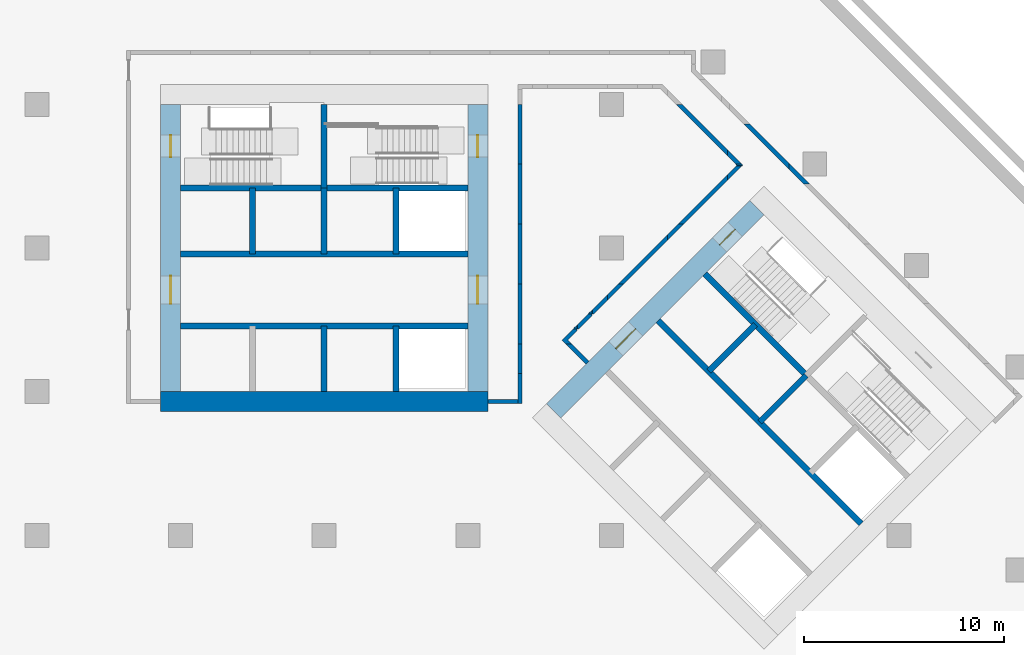
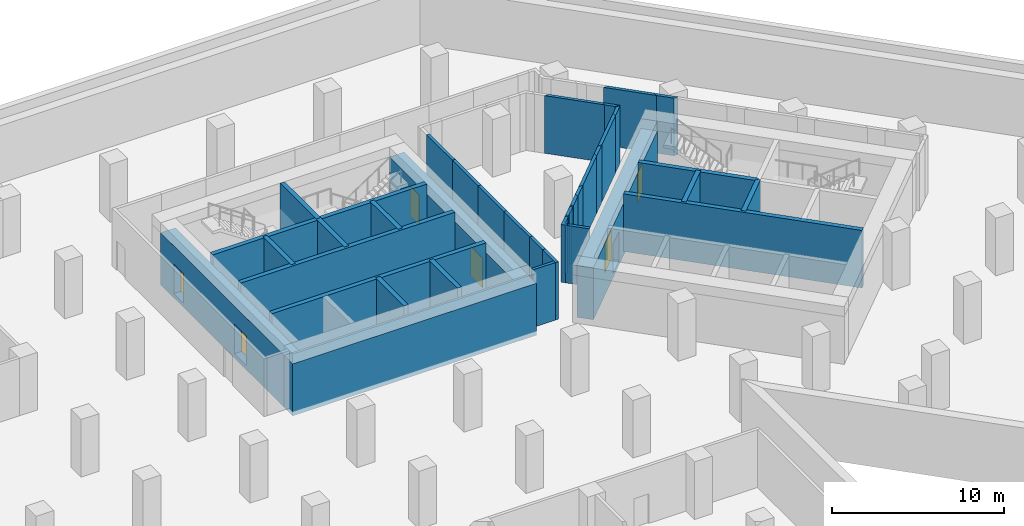
# One storey, part 5 of 11: 41 walls, 6 doors, 6 openings.
"""IFC4 building model written with IfcOpenShell, lengths in metres."""

from ifc_helpers import new_model, si_unit, direction, frame, frame_2d, origin, place, context, subcontext, project, spatial, polyline, rectangle, outline, extrude, material, layer, layer_set, type_object, element, fill, save


model = new_model("IFC4")

# Units and contexts
model_context = context("Model", 3, precision=1e-05, world=origin(), true_north=direction((0.0, 1.0)))
body_context = subcontext(model_context, "Body", "Model", "MODEL_VIEW")
ifc_project = project(units=[si_unit("LENGTHUNIT", "METRE"), si_unit("AREAUNIT", "SQUARE_METRE"), si_unit("VOLUMEUNIT", "CUBIC_METRE"), si_unit("PLANEANGLEUNIT", "RADIAN"), si_unit("MASSUNIT", "GRAM", prefix="KILO")], contexts=[model_context])

# Site, building, storey
site_placement = place(None, origin())
site = spatial("IfcSite", under=ifc_project, at=site_placement, CompositionType="ELEMENT")
building_placement = place(site_placement, origin())
building = spatial("IfcBuilding", under=site, at=building_placement, Name="Windrow Commons", CompositionType="ELEMENT")
storey_placement = place(building_placement, frame((0.0, 0.0, -4.5)))
storey = spatial("IfcBuildingStorey", under=building, at=storey_placement, Name="B1", CompositionType="ELEMENT", Elevation=-4.5)

# Walls
ifc_material_1 = material(Name="Blockwork partition", Category="masonry")
ifc_layer_1 = layer(ifc_material_1, 0.2)
ifc_layer_set_1 = layer_set([ifc_layer_1], Name="CP-PART-200")
wall_type_1 = type_object("IfcWallType", Name="CP-PART-200", PredefinedType="PARTITIONING", material=ifc_layer_set_1)
placement = place(storey_placement, origin())
element("IfcWall", 1, at=placement, inside=storey, type_object=wall_type_1, Name="Escape corridor wall 07", PredefinedType="PARTITIONING", context=body_context, shape_type="SweptSolid", body=[
    extrude(outline(polyline([(74.5, 50.0), (73.0, 50.0), (73.0, 49.8), (74.5, 49.8), (74.5, 50.0)])), origin(), (0.0, 0.0, 1.0), 4.1),
])
element("IfcWall", 2, at=placement, inside=storey, type_object=wall_type_1, Name="Escape corridor wall 08", PredefinedType="PARTITIONING", context=body_context, shape_type="SweptSolid", body=[
    extrude(outline(polyline([(74.5, 51.3), (74.5, 49.8), (74.7, 49.8), (74.7, 51.3), (74.5, 51.3)])), origin(), (0.0, 0.0, 1.0), 4.1),
])
element("IfcWall", 3, at=placement, inside=storey, type_object=wall_type_1, Name="Escape corridor wall 09", PredefinedType="PARTITIONING", context=body_context, shape_type="SweptSolid", body=[
    extrude(outline(polyline([(74.5, 52.8), (74.5, 51.3), (74.7, 51.3), (74.7, 52.8), (74.5, 52.8)])), origin(), (0.0, 0.0, 1.0), 4.1),
])
element("IfcWall", 4, at=placement, inside=storey, type_object=wall_type_1, Name="Escape corridor wall 10", PredefinedType="PARTITIONING", context=body_context, shape_type="SweptSolid", body=[
    extrude(outline(polyline([(74.5, 55.8), (74.5, 52.8), (74.7, 52.8), (74.7, 55.8), (74.5, 55.8)])), origin(), (0.0, 0.0, 1.0), 4.1),
])
element("IfcWall", 5, at=placement, inside=storey, type_object=wall_type_1, Name="Escape corridor wall 11", PredefinedType="PARTITIONING", context=body_context, shape_type="SweptSolid", body=[
    extrude(outline(polyline([(74.5, 58.8), (74.5, 55.8), (74.7, 55.8), (74.7, 58.8), (74.5, 58.8)])), origin(), (0.0, 0.0, 1.0), 4.1),
])
element("IfcWall", 6, at=placement, inside=storey, type_object=wall_type_1, Name="Escape corridor wall 12", PredefinedType="PARTITIONING", context=body_context, shape_type="SweptSolid", body=[
    extrude(outline(polyline([(74.5, 61.8), (74.5, 58.8), (74.7, 58.8), (74.7, 61.8), (74.5, 61.8)])), origin(), (0.0, 0.0, 1.0), 4.1),
])
element("IfcWall", 7, at=placement, inside=storey, type_object=wall_type_1, Name="Escape corridor wall 13", PredefinedType="PARTITIONING", context=body_context, shape_type="SweptSolid", body=[
    extrude(outline(polyline([(74.5, 64.8), (74.5, 61.8), (74.7, 61.8), (74.7, 64.8), (74.5, 64.8)])), origin(), (0.0, 0.0, 1.0), 4.1),
])
element("IfcWall", 8, at=placement, inside=storey, type_object=wall_type_1, Name="Escape corridor wall 18", PredefinedType="PARTITIONING", context=body_context, shape_type="SweptSolid", body=[
    extrude(outline(polyline([(76.904, 52.8), (77.1868, 52.8), (77.008, 52.9788), (77.4751, 53.446), (77.4751, 53.55), (77.2963, 53.55), (76.7251, 52.9788), (76.904, 52.8)])), origin(), (0.0, 0.0, 1.0), 4.1),
])
element("IfcWall", 9, at=placement, inside=storey, type_object=wall_type_1, Name="Escape corridor wall 19", PredefinedType="PARTITIONING", context=body_context, shape_type="SweptSolid", body=[
    extrude(outline(polyline([(77.4751, 53.7288), (77.2963, 53.55), (77.4751, 53.55), (77.4751, 53.7288)])), origin(), (0.0, 0.0, 1.0), 4.1),
])
element("IfcWall", 10, at=placement, inside=storey, type_object=wall_type_1, Name="Escape corridor wall 20", PredefinedType="PARTITIONING", context=body_context, shape_type="SweptSolid", body=[
    extrude(outline(polyline([(77.9272, 51.7767), (78.0686, 51.9182), (77.1868, 52.8), (76.904, 52.8), (77.9272, 51.7767)])), origin(), (0.0, 0.0, 1.0), 4.1),
])
element("IfcWall", 11, at=placement, inside=storey, type_object=wall_type_1, Name="Escape corridor wall 23", PredefinedType="PARTITIONING", context=body_context, shape_type="SweptSolid", body=[
    extrude(outline(polyline([(78.0463, 54.3), (77.4751, 53.7288), (77.4751, 53.55), (77.5791, 53.55), (78.2251, 54.196), (78.2251, 54.3), (78.0463, 54.3)])), origin(), (0.0, 0.0, 1.0), 4.1),
])
element("IfcWall", 12, at=placement, inside=storey, type_object=wall_type_1, Name="Escape corridor wall 24", PredefinedType="PARTITIONING", context=body_context, shape_type="SweptSolid", body=[
    extrude(outline(polyline([(78.2251, 54.4788), (78.0463, 54.3), (78.2251, 54.3), (78.2251, 54.4788)])), origin(), (0.0, 0.0, 1.0), 4.1),
])
element("IfcWall", 13, at=placement, inside=storey, type_object=wall_type_1, Name="Escape corridor wall 25", PredefinedType="PARTITIONING", context=body_context, shape_type="SweptSolid", body=[
    extrude(outline(polyline([(79.0, 55.2537), (78.2251, 54.4788), (78.2251, 54.3), (78.3291, 54.3), (79.0, 54.9709), (79.0, 55.2537)])), origin(), (0.0, 0.0, 1.0), 4.1),
])
element("IfcWall", 14, at=placement, inside=storey, type_object=wall_type_1, Name="Escape corridor wall 26", PredefinedType="PARTITIONING", context=body_context, shape_type="SweptSolid", body=[
    extrude(outline(polyline([(79.0, 54.9709), (79.8291, 55.8), (79.5463, 55.8), (79.0, 55.2537), (79.0, 54.9709)])), origin(), (0.0, 0.0, 1.0), 4.1),
])
element("IfcWall", 15, at=placement, inside=storey, type_object=wall_type_1, Name="Escape corridor wall 29", PredefinedType="PARTITIONING", context=body_context, shape_type="SweptSolid", body=[
    extrude(outline(polyline([(79.8291, 55.8), (82.0, 57.9709), (82.0, 58.2537), (79.5463, 55.8), (79.8291, 55.8)])), origin(), (0.0, 0.0, 1.0), 4.1),
])
element("IfcWall", 16, at=placement, inside=storey, type_object=wall_type_1, Name="Escape corridor wall 32", PredefinedType="PARTITIONING", context=body_context, shape_type="SweptSolid", body=[
    extrude(outline(polyline([(82.0, 57.9709), (82.8291, 58.8), (82.5463, 58.8), (82.0, 58.2537), (82.0, 57.9709)])), origin(), (0.0, 0.0, 1.0), 4.1),
])
element("IfcWall", 17, at=placement, inside=storey, type_object=wall_type_1, Name="Escape corridor wall 37", PredefinedType="PARTITIONING", context=body_context, shape_type="SweptSolid", body=[
    extrude(outline(polyline([(82.8291, 58.8), (85.0, 60.9709), (85.0, 61.2537), (82.5463, 58.8), (82.8291, 58.8)])), origin(), (0.0, 0.0, 1.0), 4.1),
])
element("IfcWall", 18, at=placement, inside=storey, type_object=wall_type_1, Name="Escape corridor wall 38", PredefinedType="PARTITIONING", context=body_context, shape_type="SweptSolid", body=[
    extrude(outline(polyline([(85.0, 62.523), (82.723, 64.8), (82.4402, 64.8), (85.0, 62.2402), (85.0, 62.523)])), origin(), (0.0, 0.0, 1.0), 4.1),
])
element("IfcWall", 19, at=placement, inside=storey, type_object=wall_type_1, Name="Escape corridor wall 41", PredefinedType="PARTITIONING", context=body_context, shape_type="SweptSolid", body=[
    extrude(outline(polyline([(85.0, 61.2537), (85.0, 60.9709), (85.75, 61.7209), (85.4672, 61.7209), (85.0, 61.2537)])), origin(), (0.0, 0.0, 1.0), 4.1),
])
element("IfcWall", 20, at=placement, inside=storey, type_object=wall_type_1, Name="Escape corridor wall 42", PredefinedType="PARTITIONING", context=body_context, shape_type="SweptSolid", body=[
    extrude(outline(polyline([(85.723, 61.8), (85.0, 62.523), (85.0, 62.2402), (85.4402, 61.8), (85.723, 61.8)])), origin(), (0.0, 0.0, 1.0), 4.1),
])
element("IfcWall", 21, at=placement, inside=storey, type_object=wall_type_1, Name="Escape corridor wall 44", PredefinedType="PARTITIONING", context=body_context, shape_type="SweptSolid", body=[
    extrude(outline(polyline([(85.4933, 61.747), (85.4672, 61.7209), (85.75, 61.7209), (85.75, 61.773), (85.723, 61.8), (85.4402, 61.8), (85.4933, 61.747)])), origin(), (0.0, 0.0, 1.0), 4.1),
])
element("IfcWall", 22, at=placement, inside=storey, type_object=wall_type_1, Name="Escape corridor wall 45", PredefinedType="PARTITIONING", context=body_context, shape_type="SweptSolid", body=[
    extrude(outline(polyline([(88.1, 61.8272), (86.1203, 63.8069), (85.8375, 63.8069), (88.1, 61.5444), (88.1, 61.8272)])), origin(), (0.0, 0.0, 1.0), 4.1),
])
element("IfcWall", 23, at=placement, inside=storey, type_object=wall_type_1, Name="Escape corridor wall 46", PredefinedType="PARTITIONING", context=body_context, shape_type="SweptSolid", body=[
    extrude(outline(polyline([(89.1203, 60.8069), (88.1, 61.8272), (88.1, 61.5444), (88.8375, 60.8069), (89.1203, 60.8069)])), origin(), (0.0, 0.0, 1.0), 4.1),
])
ifc_material_2 = material(Name="Concrete C60/75", Category="concrete")
ifc_layer_2 = layer(ifc_material_2, 1.0)
ifc_layer_set_2 = layer_set([ifc_layer_2], Name="RC CORE WALL 1000 C60/75")
wall_type_2 = type_object("IfcWallType", Name="RC CORE WALL 1000 C60/75", PredefinedType="SHEAR", material=ifc_layer_set_2)
wall_24_placement = place(storey_placement, frame((56.6, 49.9, -0.3), z_axis=(0.0, 0.0, 1.0), x_axis=(1.0, 0.0, 0.0)))
element("IfcWall", 24, at=wall_24_placement, inside=storey, type_object=wall_type_2, Name="Core A wall outer-S", PredefinedType="SHEAR", context=body_context, shape_type="SweptSolid", body=[
    extrude(rectangle(XDim=16.4, YDim=1.0, at=frame_2d((8.2, 0.0))), origin(), (0.0, 0.0, 1.0), 3.7),
])

# Wall, openings, doors
wall_25_placement = place(storey_placement, frame((57.1, 50.4, -0.3), z_axis=(0.0, 0.0, 1.0), x_axis=(0.0, 1.0, 0.0)))
wall_25 = element("IfcWall", 25, at=wall_25_placement, inside=storey, type_object=wall_type_2, Name="Core A wall outer-W", PredefinedType="SHEAR", context=body_context, shape_type="SweptSolid", body=[
    extrude(rectangle(XDim=14.4, YDim=1.0, at=frame_2d((7.2, 0.0))), origin(), (0.0, 0.0, 1.0), 3.7),
])
opening_1_placement = place(wall_25_placement, frame((4.4, 0.0, 0.3)))
opening_1 = element("IfcOpeningElement", 26, at=opening_1_placement, cuts=wall_25, Name="Opening B1-D01", PredefinedType="OPENING", context=body_context, shape_type="SweptSolid", body=[
    extrude(rectangle(XDim=1.4, YDim=2.1, at=frame_2d((0.7, 1.05))), frame((0.0, 0.51, 0.0), z_axis=(0.0, -1.0, 0.0), x_axis=(1.0, 0.0, 0.0)), (0.0, 0.0, 1.0), 1.02),
])
opening_2_placement = place(wall_25_placement, frame((11.75, 0.0, 0.3)))
opening_2 = element("IfcOpeningElement", 27, at=opening_2_placement, cuts=wall_25, Name="Opening B1-D02", PredefinedType="OPENING", context=body_context, shape_type="SweptSolid", body=[
    extrude(rectangle(XDim=1.1, YDim=2.1, at=frame_2d((0.55, 1.05))), frame((0.0, 0.51, 0.0), z_axis=(0.0, -1.0, 0.0), x_axis=(1.0, 0.0, 0.0)), (0.0, 0.0, 1.0), 1.02),
])
ifc_material_3 = material(Name="Steel fire door leaf", Category="steel")
door_type_1 = type_object("IfcDoorType", Name="CP-DOOR-1100", OperationType="SINGLE_SWING_LEFT", PredefinedType="DOOR", material=ifc_material_3)
door_1_placement = place(opening_2_placement, origin())
door_1 = element("IfcDoor", 28, at=door_1_placement, inside=storey, type_object=door_type_1, Name="D-B1-CORE-AW-2", OperationType="SINGLE_SWING_LEFT", OverallHeight=2.1, OverallWidth=1.1, PredefinedType="DOOR", context=body_context, shape_type="SweptSolid", body=[
    extrude(rectangle(XDim=1.1, YDim=2.1, at=frame_2d((0.55, 1.05))), frame((0.0, 0.025, 0.0), z_axis=(0.0, -1.0, 0.0), x_axis=(1.0, 0.0, 0.0)), (0.0, 0.0, 1.0), 0.05),
])
fill(opening_2, door_1)
ifc_material_4 = material(Name="Steel fire door leaf", Category="steel")
door_type_2 = type_object("IfcDoorType", Name="CP-DOOR-1400", OperationType="SINGLE_SWING_LEFT", PredefinedType="DOOR", material=ifc_material_4)
door_2_placement = place(opening_1_placement, origin())
door_2 = element("IfcDoor", 29, at=door_2_placement, inside=storey, type_object=door_type_2, Name="D-B1-CORE-AW-1", OperationType="SINGLE_SWING_RIGHT", OverallHeight=2.1, OverallWidth=1.4, PredefinedType="DOOR", context=body_context, shape_type="SweptSolid", body=[
    extrude(rectangle(XDim=1.4, YDim=2.1, at=frame_2d((0.7, 1.05))), frame((0.0, 0.025, 0.0), z_axis=(0.0, -1.0, 0.0), x_axis=(1.0, 0.0, 0.0)), (0.0, 0.0, 1.0), 0.05),
])
fill(opening_1, door_2)

wall_26_placement = place(storey_placement, frame((72.5, 50.4, -0.3), z_axis=(0.0, 0.0, 1.0), x_axis=(0.0, 1.0, 0.0)))
wall_26 = element("IfcWall", 30, at=wall_26_placement, inside=storey, type_object=wall_type_2, Name="Core A wall outer-E", PredefinedType="SHEAR", context=body_context, shape_type="SweptSolid", body=[
    extrude(rectangle(XDim=14.4, YDim=1.0, at=frame_2d((7.2, 0.0))), origin(), (0.0, 0.0, 1.0), 3.7),
])
opening_3_placement = place(wall_26_placement, frame((4.4, 0.0, 0.3)))
opening_3 = element("IfcOpeningElement", 31, at=opening_3_placement, cuts=wall_26, Name="Opening B1-D03", PredefinedType="OPENING", context=body_context, shape_type="SweptSolid", body=[
    extrude(rectangle(XDim=1.4, YDim=2.1, at=frame_2d((0.7, 1.05))), frame((0.0, 0.51, 0.0), z_axis=(0.0, -1.0, 0.0), x_axis=(1.0, 0.0, 0.0)), (0.0, 0.0, 1.0), 1.02),
])
opening_4_placement = place(wall_26_placement, frame((11.75, 0.0, 0.3)))
opening_4 = element("IfcOpeningElement", 32, at=opening_4_placement, cuts=wall_26, Name="Opening B1-D04", PredefinedType="OPENING", context=body_context, shape_type="SweptSolid", body=[
    extrude(rectangle(XDim=1.1, YDim=2.1, at=frame_2d((0.55, 1.05))), frame((0.0, 0.51, 0.0), z_axis=(0.0, -1.0, 0.0), x_axis=(1.0, 0.0, 0.0)), (0.0, 0.0, 1.0), 1.02),
])
door_3_placement = place(opening_4_placement, origin())
door_3 = element("IfcDoor", 33, at=door_3_placement, inside=storey, type_object=door_type_1, Name="D-B1-CORE-AE-4", OperationType="SINGLE_SWING_LEFT", OverallHeight=2.1, OverallWidth=1.1, PredefinedType="DOOR", context=body_context, shape_type="SweptSolid", body=[
    extrude(rectangle(XDim=1.1, YDim=2.1, at=frame_2d((0.55, 1.05))), frame((0.0, 0.025, 0.0), z_axis=(0.0, -1.0, 0.0), x_axis=(1.0, 0.0, 0.0)), (0.0, 0.0, 1.0), 0.05),
])
fill(opening_4, door_3)
door_4_placement = place(opening_3_placement, origin())
door_4 = element("IfcDoor", 34, at=door_4_placement, inside=storey, type_object=door_type_2, Name="D-B1-CORE-AE-3", OperationType="SINGLE_SWING_RIGHT", OverallHeight=2.1, OverallWidth=1.4, PredefinedType="DOOR", context=body_context, shape_type="SweptSolid", body=[
    extrude(rectangle(XDim=1.4, YDim=2.1, at=frame_2d((0.7, 1.05))), frame((0.0, 0.025, 0.0), z_axis=(0.0, -1.0, 0.0), x_axis=(1.0, 0.0, 0.0)), (0.0, 0.0, 1.0), 0.05),
])
fill(opening_3, door_4)

wall_27_placement = place(storey_placement, frame((76.3009, 49.4433, -0.3), z_axis=(0.0, 0.0, 1.0), x_axis=(0.7071067812, 0.7071067812, 0.0)))
wall_27 = element("IfcWall", 35, at=wall_27_placement, inside=storey, type_object=wall_type_2, Name="Core B wall outer-W", PredefinedType="SHEAR", context=body_context, shape_type="SweptSolid", body=[
    extrude(rectangle(XDim=14.3999, YDim=1.0, at=frame_2d((7.2, 0.0))), origin(), (0.0, 0.0, 1.0), 3.7),
])
opening_5_placement = place(wall_27_placement, frame((4.4, 0.0, 0.3)))
opening_5 = element("IfcOpeningElement", 36, at=opening_5_placement, cuts=wall_27, Name="Opening B1-D05", PredefinedType="OPENING", context=body_context, shape_type="SweptSolid", body=[
    extrude(rectangle(XDim=1.4, YDim=2.1, at=frame_2d((0.7, 1.05))), frame((0.0, 0.51, 0.0), z_axis=(0.0, -1.0, 0.0), x_axis=(1.0, 0.0, 0.0)), (0.0, 0.0, 1.0), 1.02),
])
opening_6_placement = place(wall_27_placement, frame((11.75, 0.0, 0.3)))
opening_6 = element("IfcOpeningElement", 37, at=opening_6_placement, cuts=wall_27, Name="Opening B1-D06", PredefinedType="OPENING", context=body_context, shape_type="SweptSolid", body=[
    extrude(rectangle(XDim=1.1, YDim=2.1, at=frame_2d((0.55, 1.05))), frame((0.0, 0.51, 0.0), z_axis=(0.0, -1.0, 0.0), x_axis=(1.0, 0.0, 0.0)), (0.0, 0.0, 1.0), 1.02),
])
door_5_placement = place(opening_6_placement, origin())
door_5 = element("IfcDoor", 38, at=door_5_placement, inside=storey, type_object=door_type_1, Name="D-B1-CORE-BW-6", OperationType="SINGLE_SWING_LEFT", OverallHeight=2.1, OverallWidth=1.1, PredefinedType="DOOR", context=body_context, shape_type="SweptSolid", body=[
    extrude(rectangle(XDim=1.1, YDim=2.1, at=frame_2d((0.55, 1.05))), frame((0.0, 0.025, 0.0), z_axis=(0.0, -1.0, 0.0), x_axis=(1.0, 0.0, 0.0)), (0.0, 0.0, 1.0), 0.05),
])
fill(opening_6, door_5)
door_6_placement = place(opening_5_placement, origin())
door_6 = element("IfcDoor", 39, at=door_6_placement, inside=storey, type_object=door_type_2, Name="D-B1-CORE-BW-5", OperationType="SINGLE_SWING_RIGHT", OverallHeight=2.1, OverallWidth=1.4, PredefinedType="DOOR", context=body_context, shape_type="SweptSolid", body=[
    extrude(rectangle(XDim=1.4, YDim=2.1, at=frame_2d((0.7, 1.05))), frame((0.0, 0.025, 0.0), z_axis=(0.0, -1.0, 0.0), x_axis=(1.0, 0.0, 0.0)), (0.0, 0.0, 1.0), 0.05),
])
fill(opening_5, door_6)

# Walls
ifc_material_5 = material(Name="Concrete C60/75", Category="concrete")
ifc_layer_3 = layer(ifc_material_5, 0.3)
ifc_layer_set_3 = layer_set([ifc_layer_3], Name="RC SHAFT WALL 300 C60/75")
wall_type_3 = type_object("IfcWallType", Name="RC SHAFT WALL 300 C60/75", PredefinedType="SOLIDWALL", material=ifc_layer_set_3)
for number, where, z_axis, x_axis, name in (
    (40, (61.2, 57.3, 0.0), (0.0, 0.0, 1.0), (0.0, 1.0, 0.0), "Core A wall shaft-N1"),
    (41, (64.8, 50.4, 0.0), (0.0, 0.0, 1.0), (0.0, 1.0, 0.0), "Core A wall shaft-S2"),
    (42, (64.8, 57.3, 0.0), (0.0, 0.0, 1.0), (0.0, 1.0, 0.0), "Core A wall shaft-N2"),
    (43, (68.4, 50.4, 0.0), (0.0, 0.0, 1.0), (0.0, 1.0, 0.0), "Core A wall shaft-S3"),
    (44, (68.4, 57.3, 0.0), (0.0, 0.0, 1.0), (0.0, 1.0, 0.0), "Core A wall shaft-N3"),
):
    element("IfcWall", number, at=place(storey_placement, frame(where, z_axis=z_axis, x_axis=x_axis)), inside=storey, type_object=wall_type_3, Name=name, PredefinedType="SOLIDWALL", context=body_context, shape_type="SweptSolid", body=[
        extrude(rectangle(XDim=3.3, YDim=0.3, at=frame_2d((1.65, 0.0))), origin(), (0.0, 0.0, 1.0), 4.1),
    ])
for number, where, z_axis, x_axis, name in (
    (45, (57.6, 53.7, 0.0), (0.0, 0.0, 1.0), (1.0, 0.0, 0.0), "Core A wall lobby-S"),
    (46, (57.6, 57.3, 0.0), (0.0, 0.0, 1.0), (1.0, 0.0, 0.0), "Core A wall lobby-N"),
):
    element("IfcWall", number, at=place(storey_placement, frame(where, z_axis=z_axis, x_axis=x_axis)), inside=storey, type_object=wall_type_3, Name=name, PredefinedType="SOLIDWALL", context=body_context, shape_type="SweptSolid", body=[
        extrude(rectangle(XDim=14.4, YDim=0.3, at=frame_2d((7.2, 0.0))), origin(), (0.0, 0.0, 1.0), 4.1),
    ])
for number, where, z_axis, x_axis, name in (
    (47, (57.6, 60.6, 0.0), (0.0, 0.0, 1.0), (1.0, 0.0, 0.0), "Core A wall stair-S"),
    (48, (64.8, 60.6, 0.0), (0.0, 0.0, 1.0), (1.0, 0.0, 0.0), "Core A wall stair-S2"),
):
    element("IfcWall", number, at=place(storey_placement, frame(where, z_axis=z_axis, x_axis=x_axis)), inside=storey, type_object=wall_type_3, Name=name, PredefinedType="SOLIDWALL", context=body_context, shape_type="SweptSolid", body=[
        extrude(rectangle(XDim=7.2, YDim=0.3, at=frame_2d((3.6, 0.0))), origin(), (0.0, 0.0, 1.0), 4.1),
    ])
wall_28_placement = place(storey_placement, frame((64.8, 60.6, 0.0), z_axis=(0.0, 0.0, 1.0), x_axis=(0.0, 1.0, 0.0)))
element("IfcWall", 49, at=wall_28_placement, inside=storey, type_object=wall_type_3, Name="Core A wall stair-mid", PredefinedType="SOLIDWALL", context=body_context, shape_type="SweptSolid", body=[
    extrude(rectangle(XDim=4.2, YDim=0.3, at=frame_2d((2.1, 0.0))), origin(), (0.0, 0.0, 1.0), 4.1),
])
wall_29_placement = place(storey_placement, frame((84.079, 51.4232, 0.0), z_axis=(0.0, 0.0, 1.0), x_axis=(0.7071219326, 0.7070916295, 0.0)))
element("IfcWall", 50, at=wall_29_placement, inside=storey, type_object=wall_type_3, Name="Core B wall shaft-N1", PredefinedType="SOLIDWALL", context=body_context, shape_type="SweptSolid", body=[
    extrude(rectangle(XDim=3.3, YDim=0.3, at=frame_2d((1.65, 0.0))), origin(), (0.0, 0.0, 1.0), 4.1),
])
wall_30_placement = place(storey_placement, frame((86.6246, 48.8776, 0.0), z_axis=(0.0, 0.0, 1.0), x_axis=(0.7071067812, 0.7071067812, 0.0)))
element("IfcWall", 51, at=wall_30_placement, inside=storey, type_object=wall_type_3, Name="Core B wall shaft-N2", PredefinedType="SOLIDWALL", context=body_context, shape_type="SweptSolid", body=[
    extrude(rectangle(XDim=3.3001, YDim=0.3, at=frame_2d((1.6501, 0.0))), origin(), (0.0, 0.0, 1.0), 4.1),
])
wall_31_placement = place(storey_placement, frame((81.5335, 53.9688, 0.0), z_axis=(0.0, 0.0, 1.0), x_axis=(0.707103309, -0.7071102534, 0.0)))
element("IfcWall", 52, at=wall_31_placement, inside=storey, type_object=wall_type_3, Name="Core B wall lobby-N", PredefinedType="SOLIDWALL", context=body_context, shape_type="SweptSolid", body=[
    extrude(rectangle(XDim=14.4, YDim=0.3, at=frame_2d((7.2, 0.0))), origin(), (0.0, 0.0, 1.0), 4.1),
])
wall_32_placement = place(storey_placement, frame((83.8669, 56.3022, 0.0), z_axis=(0.0, 0.0, 1.0), x_axis=(0.7071137256, -0.7070998367, 0.0)))
element("IfcWall", 53, at=wall_32_placement, inside=storey, type_object=wall_type_3, Name="Core B wall stair-S", PredefinedType="SOLIDWALL", context=body_context, shape_type="SweptSolid", body=[
    extrude(rectangle(XDim=7.2, YDim=0.3, at=frame_2d((3.6, 0.0))), origin(), (0.0, 0.0, 1.0), 4.1),
])

save(model, "model.ifc")
